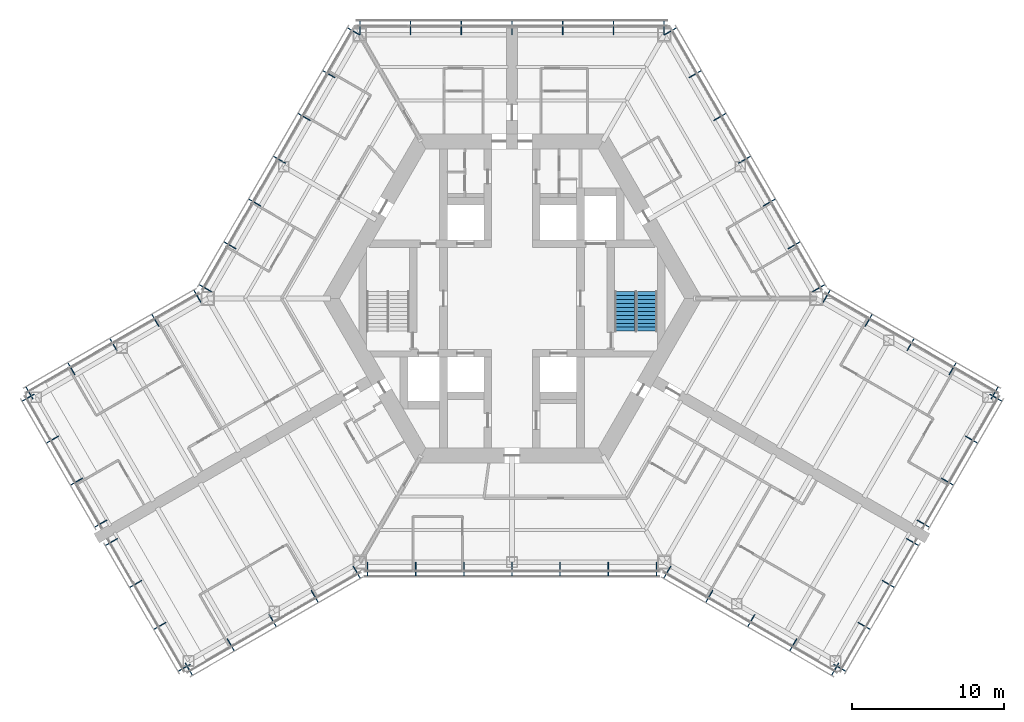
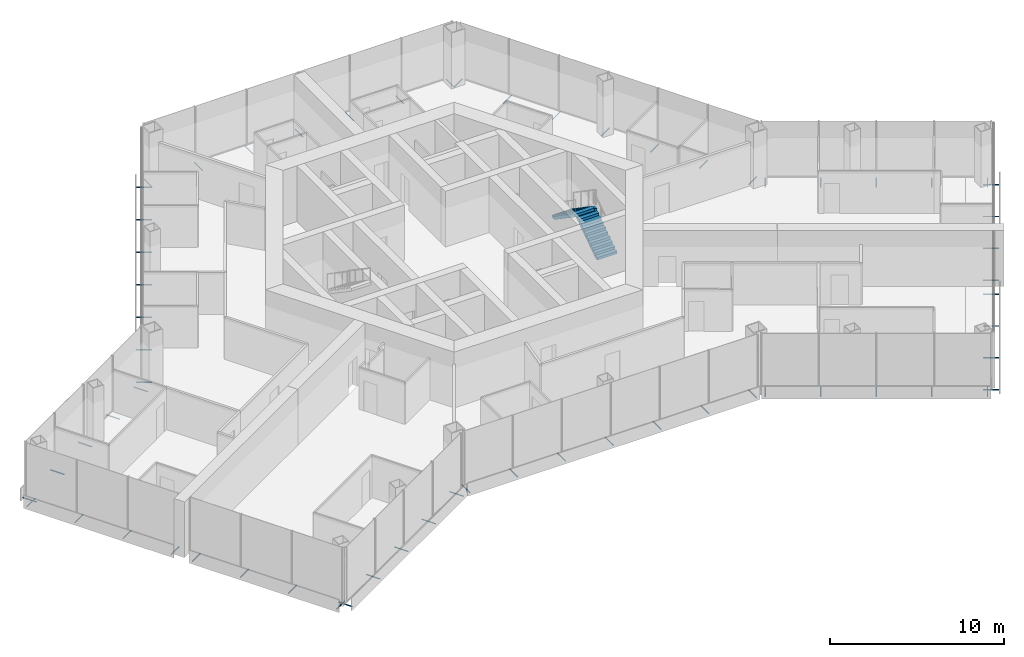
# One storey, part 16 of 18: 64 discrete accessories, 2 stair flights, 1 element without a shape of its own.
"""IFC4 building model written with IfcOpenShell, lengths in metres."""

from ifc_helpers import new_model, si_unit, direction, frame, origin, origin_2d, place, context, subcontext, project, spatial, polyline, hollow_circle, outline, extrude, material, material_profile, profile_set, type_object, element, aggregate, save


model = new_model("IFC4")

# Units and contexts
model_context = context("Model", 3, precision=1e-05, world=origin(), true_north=direction((0.0, 1.0)))
body_context = subcontext(model_context, "Body", "Model", "MODEL_VIEW")
ifc_project = project(units=[si_unit("LENGTHUNIT", "METRE"), si_unit("AREAUNIT", "SQUARE_METRE"), si_unit("VOLUMEUNIT", "CUBIC_METRE"), si_unit("PLANEANGLEUNIT", "RADIAN"), si_unit("MASSUNIT", "GRAM", prefix="KILO")], contexts=[model_context])

# Site, building, storey
site_placement = place(None, origin())
site = spatial("IfcSite", under=ifc_project, at=site_placement, CompositionType="ELEMENT")
building_placement = place(site_placement, origin())
building = spatial("IfcBuilding", under=site, at=building_placement, Name="Kasaneha Research Tower", CompositionType="ELEMENT")
storey_placement = place(building_placement, frame((0.0, 0.0, 133.10009765625)))
storey = spatial("IfcBuildingStorey", under=building, at=storey_placement, Name="L33", CompositionType="ELEMENT", Elevation=133.10009765625)

# Stair, stair flights
ifc_material_1 = material(Name="Concrete Fc24", Category="concrete")
stair_type = type_object("IfcStairType", Name="Half-turn stair 22 risers", PredefinedType="HALF_TURN_STAIR", material=ifc_material_1)
stair_placement = place(storey_placement, origin())
stair = element("IfcStair", 1, at=stair_placement, inside=storey, type_object=stair_type, Name="Stair 1 L33", PredefinedType="HALF_TURN_STAIR")
ifc_material_2 = material(Name="Concrete Fc24", Category="concrete")
stair_flight_type = type_object("IfcStairFlightType", Name="Stair flight 11 risers 177.3", PredefinedType="STRAIGHT", material=ifc_material_2)
stair_flight_1_placement = place(storey_placement, frame((8.89990234375, -2.14990234375, 0.0), z_axis=(0.0, 0.0, 1.0), x_axis=(0.0, 1.0, 0.0)))
stair_flight_1 = element("IfcStairFlight", 2, at=stair_flight_1_placement, type_object=stair_flight_type, Name="ST1-22R flight 1", NumberOfRisers=11, NumberOfTreads=10, PredefinedType="STRAIGHT", RiserHeight=0.177272727, TreadLength=0.26, context=body_context, shape_type="SweptSolid", body=[
    extrude(outline(polyline([(0.0, 0.0), (0.0, 0.17724609375), (0.260009765625, 0.17724609375), (0.260009765625, 0.3544921875), (0.52001953125, 0.3544921875), (0.52001953125, 0.53173828125), (0.780029296875, 0.53173828125), (0.780029296875, 0.708984375), (1.0400390625, 0.708984375), (1.0400390625, 0.886474609375), (1.300048828125, 0.886474609375), (1.300048828125, 1.063720703125), (1.56005859375, 1.063720703125), (1.56005859375, 1.240966796875), (1.820068359375, 1.240966796875), (1.820068359375, 1.418212890625), (2.080078125, 1.418212890625), (2.080078125, 1.595458984375), (2.340087890625, 1.595458984375), (2.340087890625, 1.772705078125), (2.60009765625, 1.772705078125), (2.60009765625, 1.949951171875), (2.60009765625, 1.59130859375), (0.26611328125, 0.0), (0.0, 0.0)])), frame((0.0, 0.64990234375, 0.0), z_axis=(0.0, -1.0, 0.0), x_axis=(1.0, 0.0, 0.0)), (0.0, 0.0, 1.0), 1.300048828125),
])
stair_flight_2_placement = place(storey_placement, frame((7.39990234375, 0.449951171875, 1.949951171875), z_axis=(0.0, 0.0, 1.0), x_axis=(0.0, -1.0, 0.0)))
stair_flight_2 = element("IfcStairFlight", 3, at=stair_flight_2_placement, type_object=stair_flight_type, Name="ST1-22R flight 2", NumberOfRisers=11, NumberOfTreads=10, PredefinedType="STRAIGHT", RiserHeight=0.177272727, TreadLength=0.26, context=body_context, shape_type="SweptSolid", body=[
    extrude(outline(polyline([(0.0, 0.0), (0.0, 0.17724609375), (0.260009765625, 0.17724609375), (0.260009765625, 0.3544921875), (0.52001953125, 0.3544921875), (0.52001953125, 0.53173828125), (0.780029296875, 0.53173828125), (0.780029296875, 0.708984375), (1.0400390625, 0.708984375), (1.0400390625, 0.886474609375), (1.300048828125, 0.886474609375), (1.300048828125, 1.063720703125), (1.56005859375, 1.063720703125), (1.56005859375, 1.240966796875), (1.820068359375, 1.240966796875), (1.820068359375, 1.418212890625), (2.080078125, 1.418212890625), (2.080078125, 1.595458984375), (2.340087890625, 1.595458984375), (2.340087890625, 1.772705078125), (2.60009765625, 1.772705078125), (2.60009765625, 1.949951171875), (2.60009765625, 1.59130859375), (0.26611328125, 0.0), (0.0, 0.0)])), frame((0.0, 0.64990234375, 0.0), z_axis=(0.0, -1.0, 0.0), x_axis=(1.0, 0.0, 0.0)), (0.0, 0.0, 1.0), 1.300048828125),
])
aggregate(stair, [stair_flight_1, stair_flight_2])

# Discrete accessories
ifc_material_3 = material(Name="Steel STK400", Category="steel")
ifc_material_profile = material_profile(ifc_material_3, hollow_circle(Radius=0.0380859375, WallThickness=0.00390625, at=origin_2d()), Name="CHS-76.3x4.0")
ifc_profile_set = profile_set([ifc_material_profile], Name="Steel STK400")
discrete_accessory_type = type_object("IfcDiscreteAccessoryType", Name="Screen bracket CHS-76.3x4.0", PredefinedType="BRACKET", material=ifc_profile_set)
for number, where, z_axis, x_axis, name in (
    (4, (-9.4892578125, -17.320556640625, -0.300048828125), (0.0, -1.0, 0.0), (1.0, 0.0, 0.0), "Screen bracket 1"),
    (5, (-6.326171875, -17.320556640625, -0.300048828125), (0.0, -1.0, 0.0), (1.0, 0.0, 0.0), "Screen bracket 2"),
    (6, (-3.1630859375, -17.320556640625, -0.300048828125), (0.0, -1.0, 0.0), (1.0, 0.0, 0.0), "Screen bracket 3"),
    (7, (0.0, -17.320556640625, -0.300048828125), (0.0, -1.0, 0.0), (1.0, 0.0, 0.0), "Screen bracket 4"),
    (8, (3.1630859375, -17.320556640625, -0.300048828125), (0.0, -1.0, 0.0), (1.0, 0.0, 0.0), "Screen bracket 5"),
    (9, (6.326171875, -17.320556640625, -0.300048828125), (0.0, -1.0, 0.0), (1.0, 0.0, 0.0), "Screen bracket 6"),
    (10, (9.4892578125, -17.320556640625, -0.300048828125), (0.0, -1.0, 0.0), (1.0, 0.0, 0.0), "Screen bracket 7"),
    (11, (10.4423828125, -17.575927734375, -0.300048828125), (-0.500021113727, -0.866013213425, 0.0), (0.866013213425, -0.500021113727, 0.0), "Screen bracket 1"),
):
    element("IfcDiscreteAccessory", number, at=place(storey_placement, frame(where, z_axis=z_axis, x_axis=x_axis)), inside=storey, type_object=discrete_accessory_type, Name=name, PredefinedType="BRACKET", context=body_context, shape_type="SweptSolid", body=[
        extrude(hollow_circle(Radius=0.0380859375, WallThickness=0.00390625, at=origin_2d()), origin(), (0.0, 0.0, 1.0), 0.919921875),
    ])
discrete_accessory_1_placement = place(storey_placement, frame((13.200439453125, -19.168212890625, -0.300048828125), z_axis=(-0.499906209203, -0.866079547155, 0.0), x_axis=(0.866079547155, -0.499906209203, 0.0)))
element("IfcDiscreteAccessory", 12, at=discrete_accessory_1_placement, inside=storey, type_object=discrete_accessory_type, Name="Screen bracket 2", PredefinedType="BRACKET", context=body_context, shape_type="SweptSolid", body=[
    extrude(hollow_circle(Radius=0.0380859375, WallThickness=0.00390625, at=origin_2d()), origin(), (0.0, 0.0, 1.0), 0.920166015625),
])
discrete_accessory_2_placement = place(storey_placement, frame((15.95849609375, -20.7607421875, -0.300048828125), z_axis=(-0.500021113727, -0.866013213425, 0.0), x_axis=(0.866013213425, -0.500021113727, 0.0)))
element("IfcDiscreteAccessory", 13, at=discrete_accessory_2_placement, inside=storey, type_object=discrete_accessory_type, Name="Screen bracket 3", PredefinedType="BRACKET", context=body_context, shape_type="SweptSolid", body=[
    extrude(hollow_circle(Radius=0.0380859375, WallThickness=0.00390625, at=origin_2d()), origin(), (0.0, 0.0, 1.0), 0.919921875),
])
discrete_accessory_3_placement = place(storey_placement, frame((18.716796875, -22.35302734375, -0.300048828125), z_axis=(-0.500105201737, -0.865964657013, 0.0), x_axis=(0.865964657013, -0.500105201737, 0.0)))
element("IfcDiscreteAccessory", 14, at=discrete_accessory_3_placement, inside=storey, type_object=discrete_accessory_type, Name="Screen bracket 4", PredefinedType="BRACKET", context=body_context, shape_type="SweptSolid", body=[
    extrude(hollow_circle(Radius=0.0380859375, WallThickness=0.00390625, at=origin_2d()), origin(), (0.0, 0.0, 1.0), 0.920166015625),
])
discrete_accessory_4_placement = place(storey_placement, frame((21.474853515625, -23.945556640625, -0.300048828125), z_axis=(-0.500021113727, -0.866013213425, 0.0), x_axis=(0.866013213425, -0.500021113727, 0.0)))
element("IfcDiscreteAccessory", 15, at=discrete_accessory_4_placement, inside=storey, type_object=discrete_accessory_type, Name="Screen bracket 5", PredefinedType="BRACKET", context=body_context, shape_type="SweptSolid", body=[
    extrude(hollow_circle(Radius=0.0380859375, WallThickness=0.00390625, at=origin_2d()), origin(), (0.0, 0.0, 1.0), 0.919921875),
])
discrete_accessory_5_placement = place(storey_placement, frame((21.13330078125, -24.037109375, -0.300048828125), z_axis=(0.866079547155, -0.499906209203, 0.0), x_axis=(0.499906209203, 0.866079547155, 0.0)))
element("IfcDiscreteAccessory", 16, at=discrete_accessory_5_placement, inside=storey, type_object=discrete_accessory_type, Name="Screen bracket 1", PredefinedType="BRACKET", context=body_context, shape_type="SweptSolid", body=[
    extrude(hollow_circle(Radius=0.0380859375, WallThickness=0.00390625, at=origin_2d()), origin(), (0.0, 0.0, 1.0), 0.920166015625),
])
discrete_accessory_6_placement = place(storey_placement, frame((22.72509765625, -21.2802734375, -0.300048828125), z_axis=(0.866013213425, -0.500021113727, 0.0), x_axis=(0.500021113727, 0.866013213425, 0.0)))
element("IfcDiscreteAccessory", 17, at=discrete_accessory_6_placement, inside=storey, type_object=discrete_accessory_type, Name="Screen bracket 2", PredefinedType="BRACKET", context=body_context, shape_type="SweptSolid", body=[
    extrude(hollow_circle(Radius=0.0380859375, WallThickness=0.00390625, at=origin_2d()), origin(), (0.0, 0.0, 1.0), 0.919921875),
])
discrete_accessory_7_placement = place(storey_placement, frame((24.316650390625, -18.5234375, -0.300048828125), z_axis=(0.866079547155, -0.499906209203, 0.0), x_axis=(0.499906209203, 0.866079547155, 0.0)))
element("IfcDiscreteAccessory", 18, at=discrete_accessory_7_placement, inside=storey, type_object=discrete_accessory_type, Name="Screen bracket 3", PredefinedType="BRACKET", context=body_context, shape_type="SweptSolid", body=[
    extrude(hollow_circle(Radius=0.0380859375, WallThickness=0.00390625, at=origin_2d()), origin(), (0.0, 0.0, 1.0), 0.920166015625),
])
for number, where, z_axis, x_axis, name in (
    (19, (25.908447265625, -15.766357421875, -0.300048828125), (0.865898279276, -0.500220121494, 0.0), (0.500220121494, 0.865898279276, 0.0), "Screen bracket 4"),
    (20, (26.6083984375, -14.553955078125, -0.300048828125), (0.866013213425, -0.500021113727, 0.0), (0.500021113727, 0.866013213425, 0.0), "Screen bracket 1"),
):
    element("IfcDiscreteAccessory", number, at=place(storey_placement, frame(where, z_axis=z_axis, x_axis=x_axis)), inside=storey, type_object=discrete_accessory_type, Name=name, PredefinedType="BRACKET", context=body_context, shape_type="SweptSolid", body=[
        extrude(hollow_circle(Radius=0.0380859375, WallThickness=0.00390625, at=origin_2d()), origin(), (0.0, 0.0, 1.0), 0.919921875),
    ])
discrete_accessory_8_placement = place(storey_placement, frame((28.199951171875, -11.797119140625, -0.300048828125), z_axis=(0.866079547155, -0.499906209203, 0.0), x_axis=(0.499906209203, 0.866079547155, 0.0)))
element("IfcDiscreteAccessory", 21, at=discrete_accessory_8_placement, inside=storey, type_object=discrete_accessory_type, Name="Screen bracket 2", PredefinedType="BRACKET", context=body_context, shape_type="SweptSolid", body=[
    extrude(hollow_circle(Radius=0.0380859375, WallThickness=0.00390625, at=origin_2d()), origin(), (0.0, 0.0, 1.0), 0.920166015625),
])
discrete_accessory_9_placement = place(storey_placement, frame((29.791748046875, -9.040283203125, -0.300048828125), z_axis=(0.866013213425, -0.500021113727, 0.0), x_axis=(0.500021113727, 0.866013213425, 0.0)))
element("IfcDiscreteAccessory", 22, at=discrete_accessory_9_placement, inside=storey, type_object=discrete_accessory_type, Name="Screen bracket 3", PredefinedType="BRACKET", context=body_context, shape_type="SweptSolid", body=[
    extrude(hollow_circle(Radius=0.0380859375, WallThickness=0.00390625, at=origin_2d()), origin(), (0.0, 0.0, 1.0), 0.919921875),
])
discrete_accessory_10_placement = place(storey_placement, frame((31.38330078125, -6.283447265625, -0.300048828125), z_axis=(0.866079547155, -0.499906209203, 0.0), x_axis=(0.499906209203, 0.866079547155, 0.0)))
element("IfcDiscreteAccessory", 23, at=discrete_accessory_10_placement, inside=storey, type_object=discrete_accessory_type, Name="Screen bracket 4", PredefinedType="BRACKET", context=body_context, shape_type="SweptSolid", body=[
    extrude(hollow_circle(Radius=0.0380859375, WallThickness=0.00390625, at=origin_2d()), origin(), (0.0, 0.0, 1.0), 0.920166015625),
])
discrete_accessory_11_placement = place(storey_placement, frame((31.474853515625, -6.625, -0.300048828125), z_axis=(0.500021113727, 0.866013213425, 0.0), x_axis=(-0.866013213425, 0.500021113727, 0.0)))
element("IfcDiscreteAccessory", 24, at=discrete_accessory_11_placement, inside=storey, type_object=discrete_accessory_type, Name="Screen bracket 1", PredefinedType="BRACKET", context=body_context, shape_type="SweptSolid", body=[
    extrude(hollow_circle(Radius=0.0380859375, WallThickness=0.00390625, at=origin_2d()), origin(), (0.0, 0.0, 1.0), 0.919921875),
])
discrete_accessory_12_placement = place(storey_placement, frame((28.716796875, -5.03271484375, -0.300048828125), z_axis=(0.499906209203, 0.866079547155, 0.0), x_axis=(-0.866079547155, 0.499906209203, 0.0)))
element("IfcDiscreteAccessory", 25, at=discrete_accessory_12_placement, inside=storey, type_object=discrete_accessory_type, Name="Screen bracket 2", PredefinedType="BRACKET", context=body_context, shape_type="SweptSolid", body=[
    extrude(hollow_circle(Radius=0.0380859375, WallThickness=0.00390625, at=origin_2d()), origin(), (0.0, 0.0, 1.0), 0.920166015625),
])
discrete_accessory_13_placement = place(storey_placement, frame((25.95849609375, -3.440185546875, -0.300048828125), z_axis=(0.500220121494, 0.865898279276, 0.0), x_axis=(-0.865898279276, 0.500220121494, 0.0)))
element("IfcDiscreteAccessory", 26, at=discrete_accessory_13_placement, inside=storey, type_object=discrete_accessory_type, Name="Screen bracket 3", PredefinedType="BRACKET", context=body_context, shape_type="SweptSolid", body=[
    extrude(hollow_circle(Radius=0.0380859375, WallThickness=0.00390625, at=origin_2d()), origin(), (0.0, 0.0, 1.0), 0.919921875),
])
discrete_accessory_14_placement = place(storey_placement, frame((23.200439453125, -1.847900390625, -0.300048828125), z_axis=(0.499906209203, 0.866079547155, 0.0), x_axis=(-0.866079547155, 0.499906209203, 0.0)))
element("IfcDiscreteAccessory", 27, at=discrete_accessory_14_placement, inside=storey, type_object=discrete_accessory_type, Name="Screen bracket 4", PredefinedType="BRACKET", context=body_context, shape_type="SweptSolid", body=[
    extrude(hollow_circle(Radius=0.0380859375, WallThickness=0.00390625, at=origin_2d()), origin(), (0.0, 0.0, 1.0), 0.920166015625),
])
for number, where, z_axis, x_axis, name in (
    (28, (20.4423828125, -0.25537109375, -0.300048828125), (0.500021113727, 0.866013213425, 0.0), (-0.866013213425, 0.500021113727, 0.0), "Screen bracket 5"),
    (29, (19.74462890625, 0.4423828125, -0.300048828125), (0.866013213425, 0.500021113727, 0.0), (-0.500021113727, 0.866013213425, 0.0), "Screen bracket 1"),
    (30, (18.120849609375, 3.2548828125, -0.300048828125), (0.866013213425, 0.500021113727, 0.0), (-0.500021113727, 0.866013213425, 0.0), "Screen bracket 2"),
    (31, (16.4970703125, 6.0673828125, -0.300048828125), (0.866013213425, 0.500021113727, 0.0), (-0.500021113727, 0.866013213425, 0.0), "Screen bracket 3"),
    (32, (14.873291015625, 8.8798828125, -0.300048828125), (0.866013213425, 0.500021113727, 0.0), (-0.500021113727, 0.866013213425, 0.0), "Screen bracket 4"),
    (33, (13.24951171875, 11.6923828125, -0.300048828125), (0.866013213425, 0.500021113727, 0.0), (-0.500021113727, 0.866013213425, 0.0), "Screen bracket 5"),
):
    element("IfcDiscreteAccessory", number, at=place(storey_placement, frame(where, z_axis=z_axis, x_axis=x_axis)), inside=storey, type_object=discrete_accessory_type, Name=name, PredefinedType="BRACKET", context=body_context, shape_type="SweptSolid", body=[
        extrude(hollow_circle(Radius=0.0380859375, WallThickness=0.00390625, at=origin_2d()), origin(), (0.0, 0.0, 1.0), 0.919921875),
    ])
for number, where, z_axis, x_axis, name in (
    (34, (11.62548828125, 14.5048828125, -0.300048828125), (0.866079547155, 0.499906209203, 0.0), (-0.499906209203, 0.866079547155, 0.0), "Screen bracket 6"),
    (35, (10.001708984375, 17.3173828125, -0.300048828125), (0.866079547155, 0.499906209203, 0.0), (-0.499906209203, 0.866079547155, 0.0), "Screen bracket 7"),
):
    element("IfcDiscreteAccessory", number, at=place(storey_placement, frame(where, z_axis=z_axis, x_axis=x_axis)), inside=storey, type_object=discrete_accessory_type, Name=name, PredefinedType="BRACKET", context=body_context, shape_type="SweptSolid", body=[
        extrude(hollow_circle(Radius=0.0380859375, WallThickness=0.00390625, at=origin_2d()), origin(), (0.0, 0.0, 1.0), 0.920166015625),
    ])
for number, where, z_axis, x_axis, name in (
    (36, (9.996337890625, 17.320556640625, -0.300048828125), (0.0, 1.0, 0.0), (-1.0, 0.0, 0.0), "Screen bracket 1"),
    (37, (6.664306640625, 17.320556640625, -0.300048828125), (0.0, 1.0, 0.0), (-1.0, 0.0, 0.0), "Screen bracket 2"),
    (38, (3.33203125, 17.320556640625, -0.300048828125), (0.0, 1.0, 0.0), (-1.0, 0.0, 0.0), "Screen bracket 3"),
    (39, (0.0, 17.320556640625, -0.300048828125), (0.0, 1.0, 0.0), (-1.0, 0.0, 0.0), "Screen bracket 4"),
    (40, (-3.33203125, 17.320556640625, -0.300048828125), (0.0, 1.0, 0.0), (-1.0, 0.0, 0.0), "Screen bracket 5"),
    (41, (-6.664306640625, 17.320556640625, -0.300048828125), (0.0, 1.0, 0.0), (-1.0, 0.0, 0.0), "Screen bracket 6"),
    (42, (-9.996337890625, 17.320556640625, -0.300048828125), (0.0, 1.0, 0.0), (-1.0, 0.0, 0.0), "Screen bracket 7"),
):
    element("IfcDiscreteAccessory", number, at=place(storey_placement, frame(where, z_axis=z_axis, x_axis=x_axis)), inside=storey, type_object=discrete_accessory_type, Name=name, PredefinedType="BRACKET", context=body_context, shape_type="SweptSolid", body=[
        extrude(hollow_circle(Radius=0.0380859375, WallThickness=0.00390625, at=origin_2d()), origin(), (0.0, 0.0, 1.0), 0.919921875),
    ])
for number, where, z_axis, x_axis, name in (
    (43, (-10.001708984375, 17.3173828125, -0.300048828125), (-0.866079547155, 0.499906209203, 0.0), (-0.499906209203, -0.866079547155, 0.0), "Screen bracket 1"),
    (44, (-11.62548828125, 14.5048828125, -0.300048828125), (-0.866079547155, 0.499906209203, 0.0), (-0.499906209203, -0.866079547155, 0.0), "Screen bracket 2"),
):
    element("IfcDiscreteAccessory", number, at=place(storey_placement, frame(where, z_axis=z_axis, x_axis=x_axis)), inside=storey, type_object=discrete_accessory_type, Name=name, PredefinedType="BRACKET", context=body_context, shape_type="SweptSolid", body=[
        extrude(hollow_circle(Radius=0.0380859375, WallThickness=0.00390625, at=origin_2d()), origin(), (0.0, 0.0, 1.0), 0.920166015625),
    ])
for number, where, z_axis, x_axis, name in (
    (45, (-13.24951171875, 11.6923828125, -0.300048828125), (-0.866013213425, 0.500021113727, 0.0), (-0.500021113727, -0.866013213425, 0.0), "Screen bracket 3"),
    (46, (-14.873291015625, 8.8798828125, -0.300048828125), (-0.866013213425, 0.500021113727, 0.0), (-0.500021113727, -0.866013213425, 0.0), "Screen bracket 4"),
    (47, (-16.4970703125, 6.0673828125, -0.300048828125), (-0.866013213425, 0.500021113727, 0.0), (-0.500021113727, -0.866013213425, 0.0), "Screen bracket 5"),
    (48, (-18.120849609375, 3.2548828125, -0.300048828125), (-0.866013213425, 0.500021113727, 0.0), (-0.500021113727, -0.866013213425, 0.0), "Screen bracket 6"),
    (49, (-19.74462890625, 0.4423828125, -0.300048828125), (-0.866013213425, 0.500021113727, 0.0), (-0.500021113727, -0.866013213425, 0.0), "Screen bracket 7"),
    (50, (-20.4423828125, -0.25537109375, -0.300048828125), (-0.500021113727, 0.866013213425, 0.0), (-0.866013213425, -0.500021113727, 0.0), "Screen bracket 1"),
):
    element("IfcDiscreteAccessory", number, at=place(storey_placement, frame(where, z_axis=z_axis, x_axis=x_axis)), inside=storey, type_object=discrete_accessory_type, Name=name, PredefinedType="BRACKET", context=body_context, shape_type="SweptSolid", body=[
        extrude(hollow_circle(Radius=0.0380859375, WallThickness=0.00390625, at=origin_2d()), origin(), (0.0, 0.0, 1.0), 0.919921875),
    ])
discrete_accessory_15_placement = place(storey_placement, frame((-23.200439453125, -1.847900390625, -0.300048828125), z_axis=(-0.499906209203, 0.866079547155, 0.0), x_axis=(-0.866079547155, -0.499906209203, 0.0)))
element("IfcDiscreteAccessory", 51, at=discrete_accessory_15_placement, inside=storey, type_object=discrete_accessory_type, Name="Screen bracket 2", PredefinedType="BRACKET", context=body_context, shape_type="SweptSolid", body=[
    extrude(hollow_circle(Radius=0.0380859375, WallThickness=0.00390625, at=origin_2d()), origin(), (0.0, 0.0, 1.0), 0.920166015625),
])
discrete_accessory_16_placement = place(storey_placement, frame((-25.95849609375, -3.440185546875, -0.300048828125), z_axis=(-0.500220121494, 0.865898279276, 0.0), x_axis=(-0.865898279276, -0.500220121494, 0.0)))
element("IfcDiscreteAccessory", 52, at=discrete_accessory_16_placement, inside=storey, type_object=discrete_accessory_type, Name="Screen bracket 3", PredefinedType="BRACKET", context=body_context, shape_type="SweptSolid", body=[
    extrude(hollow_circle(Radius=0.0380859375, WallThickness=0.00390625, at=origin_2d()), origin(), (0.0, 0.0, 1.0), 0.919921875),
])
discrete_accessory_17_placement = place(storey_placement, frame((-28.716796875, -5.03271484375, -0.300048828125), z_axis=(-0.499906209203, 0.866079547155, 0.0), x_axis=(-0.866079547155, -0.499906209203, 0.0)))
element("IfcDiscreteAccessory", 53, at=discrete_accessory_17_placement, inside=storey, type_object=discrete_accessory_type, Name="Screen bracket 4", PredefinedType="BRACKET", context=body_context, shape_type="SweptSolid", body=[
    extrude(hollow_circle(Radius=0.0380859375, WallThickness=0.00390625, at=origin_2d()), origin(), (0.0, 0.0, 1.0), 0.920166015625),
])
discrete_accessory_18_placement = place(storey_placement, frame((-31.474853515625, -6.625, -0.300048828125), z_axis=(-0.500021113727, 0.866013213425, 0.0), x_axis=(-0.866013213425, -0.500021113727, 0.0)))
element("IfcDiscreteAccessory", 54, at=discrete_accessory_18_placement, inside=storey, type_object=discrete_accessory_type, Name="Screen bracket 5", PredefinedType="BRACKET", context=body_context, shape_type="SweptSolid", body=[
    extrude(hollow_circle(Radius=0.0380859375, WallThickness=0.00390625, at=origin_2d()), origin(), (0.0, 0.0, 1.0), 0.919921875),
])
discrete_accessory_19_placement = place(storey_placement, frame((-31.38330078125, -6.283447265625, -0.300048828125), z_axis=(-0.866079547155, -0.499906209203, 0.0), x_axis=(0.499906209203, -0.866079547155, 0.0)))
element("IfcDiscreteAccessory", 55, at=discrete_accessory_19_placement, inside=storey, type_object=discrete_accessory_type, Name="Screen bracket 1", PredefinedType="BRACKET", context=body_context, shape_type="SweptSolid", body=[
    extrude(hollow_circle(Radius=0.0380859375, WallThickness=0.00390625, at=origin_2d()), origin(), (0.0, 0.0, 1.0), 0.920166015625),
])
discrete_accessory_20_placement = place(storey_placement, frame((-29.791748046875, -9.040283203125, -0.300048828125), z_axis=(-0.866013213425, -0.500021113727, 0.0), x_axis=(0.500021113727, -0.866013213425, 0.0)))
element("IfcDiscreteAccessory", 56, at=discrete_accessory_20_placement, inside=storey, type_object=discrete_accessory_type, Name="Screen bracket 2", PredefinedType="BRACKET", context=body_context, shape_type="SweptSolid", body=[
    extrude(hollow_circle(Radius=0.0380859375, WallThickness=0.00390625, at=origin_2d()), origin(), (0.0, 0.0, 1.0), 0.919921875),
])
discrete_accessory_21_placement = place(storey_placement, frame((-28.199951171875, -11.797119140625, -0.300048828125), z_axis=(-0.866079547155, -0.499906209203, 0.0), x_axis=(0.499906209203, -0.866079547155, 0.0)))
element("IfcDiscreteAccessory", 57, at=discrete_accessory_21_placement, inside=storey, type_object=discrete_accessory_type, Name="Screen bracket 3", PredefinedType="BRACKET", context=body_context, shape_type="SweptSolid", body=[
    extrude(hollow_circle(Radius=0.0380859375, WallThickness=0.00390625, at=origin_2d()), origin(), (0.0, 0.0, 1.0), 0.920166015625),
])
for number, where, z_axis, x_axis, name in (
    (58, (-26.6083984375, -14.553955078125, -0.300048828125), (-0.866013213425, -0.500021113727, 0.0), (0.500021113727, -0.866013213425, 0.0), "Screen bracket 4"),
    (59, (-25.908447265625, -15.766357421875, -0.300048828125), (-0.865898279276, -0.500220121494, 0.0), (0.500220121494, -0.865898279276, 0.0), "Screen bracket 1"),
):
    element("IfcDiscreteAccessory", number, at=place(storey_placement, frame(where, z_axis=z_axis, x_axis=x_axis)), inside=storey, type_object=discrete_accessory_type, Name=name, PredefinedType="BRACKET", context=body_context, shape_type="SweptSolid", body=[
        extrude(hollow_circle(Radius=0.0380859375, WallThickness=0.00390625, at=origin_2d()), origin(), (0.0, 0.0, 1.0), 0.919921875),
    ])
discrete_accessory_22_placement = place(storey_placement, frame((-24.316650390625, -18.5234375, -0.300048828125), z_axis=(-0.866079547155, -0.499906209203, 0.0), x_axis=(0.499906209203, -0.866079547155, 0.0)))
element("IfcDiscreteAccessory", 60, at=discrete_accessory_22_placement, inside=storey, type_object=discrete_accessory_type, Name="Screen bracket 2", PredefinedType="BRACKET", context=body_context, shape_type="SweptSolid", body=[
    extrude(hollow_circle(Radius=0.0380859375, WallThickness=0.00390625, at=origin_2d()), origin(), (0.0, 0.0, 1.0), 0.920166015625),
])
discrete_accessory_23_placement = place(storey_placement, frame((-22.72509765625, -21.2802734375, -0.300048828125), z_axis=(-0.866013213425, -0.500021113727, 0.0), x_axis=(0.500021113727, -0.866013213425, 0.0)))
element("IfcDiscreteAccessory", 61, at=discrete_accessory_23_placement, inside=storey, type_object=discrete_accessory_type, Name="Screen bracket 3", PredefinedType="BRACKET", context=body_context, shape_type="SweptSolid", body=[
    extrude(hollow_circle(Radius=0.0380859375, WallThickness=0.00390625, at=origin_2d()), origin(), (0.0, 0.0, 1.0), 0.919921875),
])
discrete_accessory_24_placement = place(storey_placement, frame((-21.13330078125, -24.037109375, -0.300048828125), z_axis=(-0.866079547155, -0.499906209203, 0.0), x_axis=(0.499906209203, -0.866079547155, 0.0)))
element("IfcDiscreteAccessory", 62, at=discrete_accessory_24_placement, inside=storey, type_object=discrete_accessory_type, Name="Screen bracket 4", PredefinedType="BRACKET", context=body_context, shape_type="SweptSolid", body=[
    extrude(hollow_circle(Radius=0.0380859375, WallThickness=0.00390625, at=origin_2d()), origin(), (0.0, 0.0, 1.0), 0.920166015625),
])
discrete_accessory_25_placement = place(storey_placement, frame((-21.474853515625, -23.945556640625, -0.300048828125), z_axis=(0.500021113727, -0.866013213425, 0.0), x_axis=(0.866013213425, 0.500021113727, 0.0)))
element("IfcDiscreteAccessory", 63, at=discrete_accessory_25_placement, inside=storey, type_object=discrete_accessory_type, Name="Screen bracket 1", PredefinedType="BRACKET", context=body_context, shape_type="SweptSolid", body=[
    extrude(hollow_circle(Radius=0.0380859375, WallThickness=0.00390625, at=origin_2d()), origin(), (0.0, 0.0, 1.0), 0.919921875),
])
discrete_accessory_26_placement = place(storey_placement, frame((-18.716796875, -22.35302734375, -0.300048828125), z_axis=(0.500105201737, -0.865964657013, 0.0), x_axis=(0.865964657013, 0.500105201737, 0.0)))
element("IfcDiscreteAccessory", 64, at=discrete_accessory_26_placement, inside=storey, type_object=discrete_accessory_type, Name="Screen bracket 2", PredefinedType="BRACKET", context=body_context, shape_type="SweptSolid", body=[
    extrude(hollow_circle(Radius=0.0380859375, WallThickness=0.00390625, at=origin_2d()), origin(), (0.0, 0.0, 1.0), 0.920166015625),
])
discrete_accessory_27_placement = place(storey_placement, frame((-15.95849609375, -20.7607421875, -0.300048828125), z_axis=(0.500021113727, -0.866013213425, 0.0), x_axis=(0.866013213425, 0.500021113727, 0.0)))
element("IfcDiscreteAccessory", 65, at=discrete_accessory_27_placement, inside=storey, type_object=discrete_accessory_type, Name="Screen bracket 3", PredefinedType="BRACKET", context=body_context, shape_type="SweptSolid", body=[
    extrude(hollow_circle(Radius=0.0380859375, WallThickness=0.00390625, at=origin_2d()), origin(), (0.0, 0.0, 1.0), 0.919921875),
])
discrete_accessory_28_placement = place(storey_placement, frame((-13.200439453125, -19.168212890625, -0.300048828125), z_axis=(0.499906209203, -0.866079547155, 0.0), x_axis=(0.866079547155, 0.499906209203, 0.0)))
element("IfcDiscreteAccessory", 66, at=discrete_accessory_28_placement, inside=storey, type_object=discrete_accessory_type, Name="Screen bracket 4", PredefinedType="BRACKET", context=body_context, shape_type="SweptSolid", body=[
    extrude(hollow_circle(Radius=0.0380859375, WallThickness=0.00390625, at=origin_2d()), origin(), (0.0, 0.0, 1.0), 0.920166015625),
])
discrete_accessory_29_placement = place(storey_placement, frame((-10.4423828125, -17.575927734375, -0.300048828125), z_axis=(0.500021113727, -0.866013213425, 0.0), x_axis=(0.866013213425, 0.500021113727, 0.0)))
element("IfcDiscreteAccessory", 67, at=discrete_accessory_29_placement, inside=storey, type_object=discrete_accessory_type, Name="Screen bracket 5", PredefinedType="BRACKET", context=body_context, shape_type="SweptSolid", body=[
    extrude(hollow_circle(Radius=0.0380859375, WallThickness=0.00390625, at=origin_2d()), origin(), (0.0, 0.0, 1.0), 0.919921875),
])

save(model, "model.ifc")
